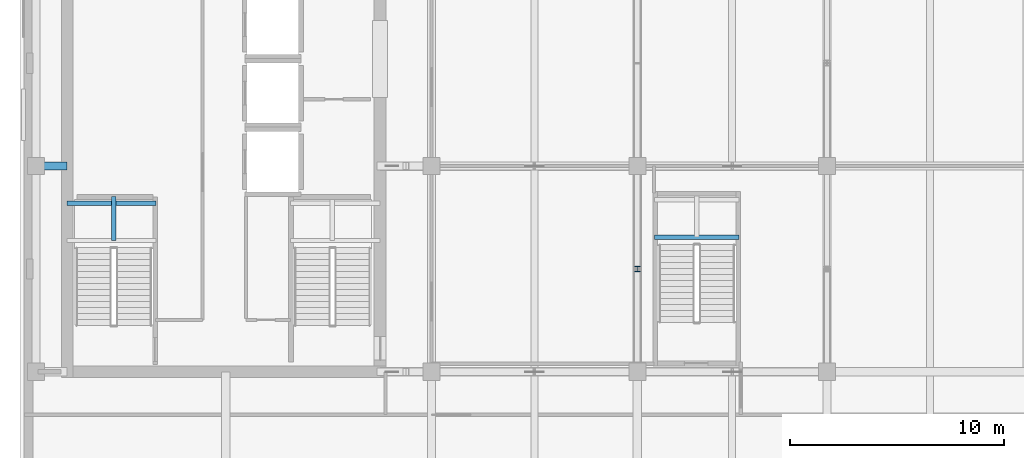
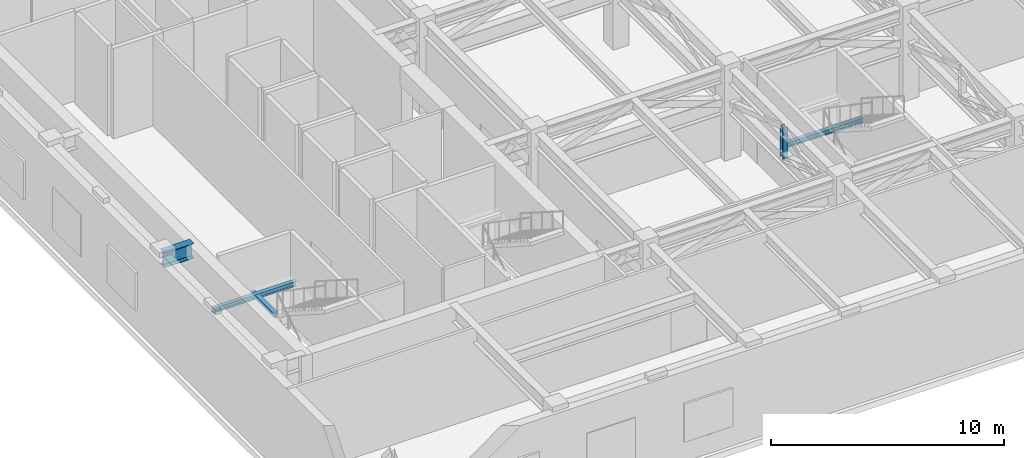
# One storey, part 2 of 19: 4 beams, 1 member.
"""IFC4 building model written with IfcOpenShell, lengths in metres."""

from ifc_helpers import new_model, si_unit, direction, frame, origin, origin_2d, place, context, subcontext, project, spatial, i_section, extrude, material, material_profile, profile_set, type_object, element, save


model = new_model("IFC4")

# Units and contexts
model_context = context("Model", 3, precision=1e-05, world=origin(), true_north=direction((0.0, 1.0)))
body_context = subcontext(model_context, "Body", "Model", "MODEL_VIEW")
ifc_project = project(units=[si_unit("LENGTHUNIT", "METRE"), si_unit("AREAUNIT", "SQUARE_METRE"), si_unit("VOLUMEUNIT", "CUBIC_METRE"), si_unit("PLANEANGLEUNIT", "RADIAN"), si_unit("MASSUNIT", "GRAM", prefix="KILO")], contexts=[model_context])

# Site, building, storey
site_placement = place(None, origin())
site = spatial("IfcSite", under=ifc_project, at=site_placement, CompositionType="ELEMENT")
building_placement = place(site_placement, origin())
building = spatial("IfcBuilding", under=site, at=building_placement, Name="Norrvale University Quadrangle", CompositionType="ELEMENT")
storey_placement = place(building_placement, frame((0.0, 0.0, 256.0)))
storey = spatial("IfcBuildingStorey", under=building, at=storey_placement, Name="L65", CompositionType="ELEMENT", Elevation=256.0)

# Beams
ifc_material = material(Name="Steel 350W", Category="steel")
ifc_material_profile_1 = material_profile(ifc_material, i_section(OverallWidth=0.381103515625, OverallDepth=0.77294921875, WebThickness=0.0166015625, FlangeThickness=0.027587890625, FilletRadius=0.02001953125, at=origin_2d()), Name="Steel 350W")
ifc_profile_set_1 = profile_set([ifc_material_profile_1], Name="Steel 350W")
beam_type_1 = type_object("IfcBeamType", Name="Beam Outrig W760x257", PredefinedType="BEAM", material=ifc_profile_set_1)
beam_1_placement = place(storey_placement, frame((0.75, 19.199951171875, 4.353515625), z_axis=(1.0, 0.0, 0.0), x_axis=(0.0, 1.0, 0.0)))
element("IfcBeam", 1, at=beam_1_placement, inside=storey, type_object=beam_type_1, Name="Beam Outrig W760x257 BM-L65-GCW049", PredefinedType="BEAM", context=body_context, shape_type="SweptSolid", body=[
    extrude(i_section(OverallWidth=0.381103515625, OverallDepth=0.77294921875, WebThickness=0.0166015625, FlangeThickness=0.027587890625, FilletRadius=0.02001953125, at=origin_2d()), origin(), (0.0, 0.0, 1.0), 1.449951171875),
])
ifc_material_profile_2 = material_profile(ifc_material, i_section(OverallWidth=0.201904296875, OverallDepth=0.2470703125, WebThickness=0.00732421875, FlangeThickness=0.010986328125, FilletRadius=0.011962890625, at=origin_2d()), Name="Steel 350W")
ifc_profile_set_2 = profile_set([ifc_material_profile_2], Name="Steel 350W")
beam_type_2 = type_object("IfcBeamType", Name="Beam Stair W250x49", PredefinedType="BEAM", material=ifc_profile_set_2)
beam_2_placement = place(storey_placement, frame((2.199951171875, 17.469970703125, 2.176513671875), z_axis=(1.0, 0.0, 0.0), x_axis=(0.0, 1.0, 0.0)))
element("IfcBeam", 2, at=beam_2_placement, inside=storey, type_object=beam_type_2, Name="Stair Mid-Landing Rear Beam ST-01 L65", PredefinedType="BEAM", context=body_context, shape_type="SweptSolid", body=[
    extrude(i_section(OverallWidth=0.201904296875, OverallDepth=0.2470703125, WebThickness=0.00732421875, FlangeThickness=0.010986328125, FilletRadius=0.011962890625, at=origin_2d()), origin(), (0.0, 0.0, 1.0), 4.14013671875),
])
beam_3_placement = place(storey_placement, frame((29.610107421875, 15.8798828125, 2.176513671875), z_axis=(1.0, 0.0, 0.0), x_axis=(0.0, 1.0, 0.0)))
element("IfcBeam", 3, at=beam_3_placement, inside=storey, type_object=beam_type_2, Name="Stair Mid-Landing Front Beam ST-04 L65", PredefinedType="BEAM", context=body_context, shape_type="SweptSolid", body=[
    extrude(i_section(OverallWidth=0.201904296875, OverallDepth=0.2470703125, WebThickness=0.00732421875, FlangeThickness=0.010986328125, FilletRadius=0.011962890625, at=origin_2d()), origin(), (0.0, 0.0, 1.0), 3.929931640625),
])
ifc_material_profile_3 = material_profile(ifc_material, i_section(OverallWidth=0.202880859375, OverallDepth=0.202880859375, WebThickness=0.007080078125, FlangeThickness=0.010986328125, FilletRadius=0.010009765625, at=origin_2d()), Name="Steel 350W")
ifc_profile_set_3 = profile_set([ifc_material_profile_3], Name="Steel 350W")
beam_type_3 = type_object("IfcBeamType", Name="Beam Trim W200x46", PredefinedType="BEAM", material=ifc_profile_set_3)
beam_4_placement = place(storey_placement, frame((4.375, 15.72998046875, 2.198486328125), z_axis=(0.0, 1.0, 0.0), x_axis=(-1.0, 0.0, 0.0)))
element("IfcBeam", 4, at=beam_4_placement, inside=storey, type_object=beam_type_3, Name="Stair Mid-Landing Cross Beam ST-01 L65", PredefinedType="BEAM", context=body_context, shape_type="SweptSolid", body=[
    extrude(i_section(OverallWidth=0.202880859375, OverallDepth=0.202880859375, WebThickness=0.007080078125, FlangeThickness=0.010986328125, FilletRadius=0.010009765625, at=origin_2d()), origin(), (0.0, 0.0, 1.0), 2.06005859375),
])

# Member
ifc_material_profile_4 = material_profile(ifc_material, i_section(OverallWidth=0.25390625, OverallDepth=0.2529296875, WebThickness=0.008544921875, FlangeThickness=0.01416015625, FilletRadius=0.011962890625, at=origin_2d()), Name="Steel 350W")
ifc_profile_set_4 = profile_set([ifc_material_profile_4], Name="Steel 350W")
member_type = type_object("IfcMemberType", Name="Member Post W250x73", PredefinedType="POST", material=ifc_profile_set_4)
member_placement = place(storey_placement, frame((28.800048828125, 14.39990234375, 2.75), z_axis=(0.0, 0.0, 1.0), x_axis=(1.0, 0.0, 0.0)))
element("IfcMember", 5, at=member_placement, inside=storey, type_object=member_type, Name="Belt Truss Post L65-04", PredefinedType="POST", context=body_context, shape_type="SweptSolid", body=[
    extrude(i_section(OverallWidth=0.25390625, OverallDepth=0.2529296875, WebThickness=0.008544921875, FlangeThickness=0.01416015625, FilletRadius=0.011962890625, at=origin_2d()), origin(), (0.0, 0.0, 1.0), 1.639892578125),
])

save(model, "model.ifc")
